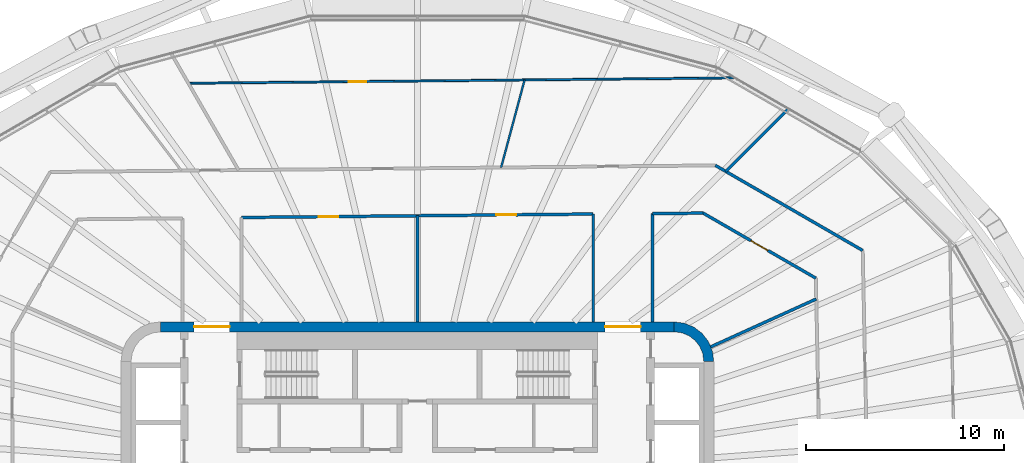
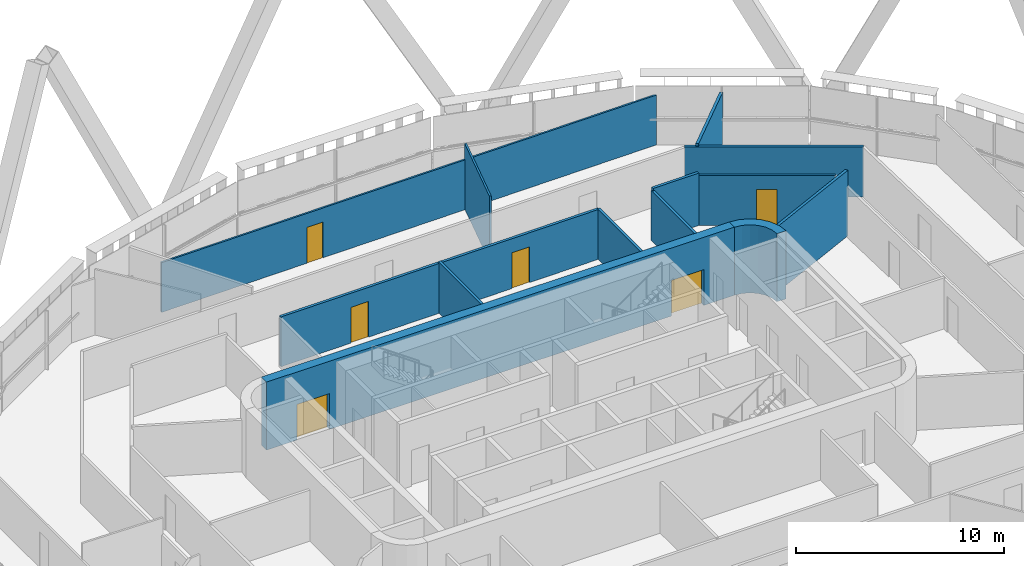
# One storey, part 17 of 25: 13 walls, 6 doors, 6 openings.
"""IFC4 building model written with IfcOpenShell, lengths in metres."""

import ifcopenshell
import ifcopenshell.guid

model = None  # the IFC model being written
_history = None  # IfcOwnerHistory: only IFC2X3 demands one
_inside = {}  # id of a spatial element -> (the spatial element, [elements in it])
_under = {}  # id of a project, library or spatial element -> (it, [spatial elements below it])
_declared = {}  # id of a project -> (the project, [libraries it declares])
_typed = {}  # id of a type object -> (the type object, [elements of that type])
_made_of = {}  # id of a material, layer set ... -> (it, [elements and type objects made of it])


def new_model(schema):
    """Start an empty IFC model of exactly this schema.

    Asked for "IFC4X3", IfcOpenShell would pick the latest addendum, in which some entities
    have other attributes; the version numbers below select the first issue.
    IFC2X3 requires an IfcOwnerHistory on every rooted entity: one is made here for all.
    """
    global model, _history
    if schema == "IFC4X3":
        model = ifcopenshell.file(schema_version=(4, 3, 0, 0))
    else:
        model = ifcopenshell.file(schema=schema)
    _inside.clear()
    _under.clear()
    _declared.clear()
    _typed.clear()
    _made_of.clear()
    _history = None
    if model.schema == "IFC2X3":
        org = make("IfcOrganization", Name="unknown")
        user = make(
            "IfcPersonAndOrganization",
            ThePerson=make("IfcPerson", FamilyName="unknown"),
            TheOrganization=org,
        )
        app = make(
            "IfcApplication",
            ApplicationDeveloper=org,
            Version="unknown",
            ApplicationFullName="unknown",
            ApplicationIdentifier="unknown",
        )
        _history = make(
            "IfcOwnerHistory",
            OwningUser=user,
            OwningApplication=app,
            ChangeAction="ADDED",
            CreationDate=0,
        )
    return model


def make(cls, **values):
    """One entity of the class cls with the attributes given. An attribute that is None is left unset."""
    return model.create_entity(
        cls, **{name: value for name, value in values.items() if value is not None}
    )


def rooted(cls, **values):
    """An entity with a GlobalId (a new one), such as an element, a storey or a relation."""
    return make(cls, GlobalId=ifcopenshell.guid.new(), OwnerHistory=_history, **values)


def si_unit(unit_type, name, prefix=None):
    """IfcSIUnit, for example si_unit("LENGTHUNIT", "METRE", prefix="MILLI")."""
    return make("IfcSIUnit", UnitType=unit_type, Prefix=prefix, Name=name)


def assignment(units):
    """IfcUnitAssignment: the units of a project."""
    return None if units is None else make("IfcUnitAssignment", Units=units)


def point(xyz):
    """IfcCartesianPoint."""
    return None if xyz is None else make("IfcCartesianPoint", Coordinates=xyz)


def direction(xyz):
    """IfcDirection."""
    return None if xyz is None else make("IfcDirection", DirectionRatios=xyz)


def frame(location, z_axis=None, x_axis=None):
    """IfcAxis2Placement3D, a coordinate frame: its origin and axes. An axis left out is left unset."""
    return make(
        "IfcAxis2Placement3D",
        Location=point(location),
        Axis=direction(z_axis),
        RefDirection=direction(x_axis),
    )


def frame_2d(location, x_axis=None):
    """IfcAxis2Placement2D, a coordinate frame in the plane: its origin and x axis."""
    return make(
        "IfcAxis2Placement2D", Location=point(location), RefDirection=direction(x_axis)
    )


def origin():
    """The frame at (0, 0, 0) with its axes left unset."""
    return frame((0.0, 0.0, 0.0))


def place(relative_to, where):
    """IfcLocalPlacement: puts the frame where relative to a parent placement (None: the world)."""
    return make(
        "IfcLocalPlacement", PlacementRelTo=relative_to, RelativePlacement=where
    )


def context(
    kind, dimensions, precision=None, world=None, true_north=None, identifier=None
):
    """IfcGeometricRepresentationContext, for example the 3D "Model" context."""
    return make(
        "IfcGeometricRepresentationContext",
        ContextIdentifier=identifier,
        ContextType=kind,
        CoordinateSpaceDimension=dimensions,
        Precision=precision,
        WorldCoordinateSystem=world,
        TrueNorth=true_north,
    )


def subcontext(parent, identifier, kind, view, scale=None):
    """IfcGeometricRepresentationSubContext, for example "Body" below "Model"."""
    return make(
        "IfcGeometricRepresentationSubContext",
        ContextIdentifier=identifier,
        ContextType=kind,
        ParentContext=parent,
        TargetScale=scale,
        TargetView=view,
    )


def project(units=None, contexts=None):
    """IfcProject with its units and contexts."""
    return rooted(
        "IfcProject",
        Name="project",
        RepresentationContexts=contexts,
        UnitsInContext=assignment(units),
    )


def spatial(cls, under=None, at=None, **own):
    """A site, building, storey or space (cls), placed at a placement, below another one or the project."""
    s = rooted(cls, ObjectPlacement=at, **own)
    if under is not None:
        _under.setdefault(under.id(), (under, []))[1].append(s)
    return s


def polyline(points):
    """IfcPolyline through the points."""
    return make("IfcPolyline", Points=[point(p) for p in points])


def profile(cls, at=None, kind="AREA", **sizes):
    """A parametric profile (cls). Its sizes go by their IFC names, for example OverallWidth=200.0."""
    return make(cls, ProfileType=kind, Position=at, **sizes)


def rectangle(**sizes):
    """IfcRectangleProfileDef."""
    return profile("IfcRectangleProfileDef", **sizes)


def outline(outer, holes=None, kind="AREA"):
    """IfcArbitraryClosedProfileDef: a profile drawn as a closed curve; with holes, ...WithVoids."""
    if holes is None:
        return make("IfcArbitraryClosedProfileDef", ProfileType=kind, OuterCurve=outer)
    return make(
        "IfcArbitraryProfileDefWithVoids",
        ProfileType=kind,
        OuterCurve=outer,
        InnerCurves=holes,
    )


def extrude(swept, where, along, depth):
    """IfcExtrudedAreaSolid: the profile swept, set in the frame where, extruded along a direction by depth."""
    return make(
        "IfcExtrudedAreaSolid",
        SweptArea=swept,
        Position=where,
        ExtrudedDirection=direction(along),
        Depth=depth,
    )


def shape(context_of_items, identifier, shape_type, items):
    """IfcShapeRepresentation: the items that make up one representation, for example the "Body"."""
    return make(
        "IfcShapeRepresentation",
        ContextOfItems=context_of_items,
        RepresentationIdentifier=identifier,
        RepresentationType=shape_type,
        Items=items,
    )


def material(Name=None, Category=None):
    """IfcMaterial."""
    return make("IfcMaterial", Name=Name, Category=Category)


def layer(
    of_material, thickness, ventilated=None, Name=None, Category=None, Priority=None
):
    """IfcMaterialLayer: one layer of a wall or slab, of a material (None: an air gap)."""
    return make(
        "IfcMaterialLayer",
        Material=of_material,
        LayerThickness=thickness,
        IsVentilated=ventilated,
        Name=Name,
        Category=Category,
        Priority=Priority,
    )


def layer_set(layers, Name=None):
    """IfcMaterialLayerSet."""
    return make("IfcMaterialLayerSet", MaterialLayers=layers, LayerSetName=Name)


def made_of(thing, what):
    """Note that an element or type object is made of a material, layer set ...; save() writes the relation."""
    if what is not None:
        _made_of.setdefault(what.id(), (what, []))[1].append(thing)
    return thing


def type_object(cls, material=None, **own):
    """A type object (cls), such as IfcWallType, which elements share."""
    return made_of(rooted(cls, **own), material)


def element(
    cls,
    number,
    at=None,
    inside=None,
    cuts=None,
    type_object=None,
    material=None,
    context=None,
    identifier="Body",
    shape_type=None,
    held_by="IfcProductDefinitionShape",
    body=None,
    shapes=None,
    **own,
):
    """One element of the class cls, such as IfcWall. Its Tag is "e" and its number.

    at: its placement. inside: the storey or other place that contains it. cuts: it is an
    opening in that element (IfcRelVoidsElement). A single representation is given by context,
    identifier, shape_type and body (its items); several are given by shapes. held_by: the class
    of the entity that holds the representations. save() writes the other relations.
    """
    e = rooted(cls, Tag="e%d" % number, ObjectPlacement=at, **own)
    if body is not None:
        shapes = [shape(context, identifier, shape_type, body)]
    if shapes is not None:
        e.Representation = make(held_by, Representations=shapes)
    if inside is not None:
        _inside.setdefault(inside.id(), (inside, []))[1].append(e)
    if cuts is not None:
        rooted(
            "IfcRelVoidsElement", RelatingBuildingElement=cuts, RelatedOpeningElement=e
        )
    if type_object is not None:
        _typed.setdefault(type_object.id(), (type_object, []))[1].append(e)
    return made_of(e, material)


def fill(opening, filler):
    """IfcRelFillsElement: the door or window that sits in an opening."""
    return rooted(
        "IfcRelFillsElement",
        RelatingOpeningElement=opening,
        RelatedBuildingElement=filler,
    )


def aggregate(whole, parts):
    """IfcRelAggregates: a whole, such as a stair, and the parts it consists of."""
    return rooted("IfcRelAggregates", RelatingObject=whole, RelatedObjects=parts)


def save(model, path):
    """Write the relations noted so far, then the file.

    IfcRelAggregates (storeys below a building ...), IfcRelContainedInSpatialStructure (elements
    in a storey), IfcRelDefinesByType, IfcRelAssociatesMaterial and IfcRelDeclares: one each for
    every whole, place, type object, material and project.
    """
    for whole, parts in _under.values():
        aggregate(whole, parts)
    for where, things in _inside.values():
        rooted(
            "IfcRelContainedInSpatialStructure",
            RelatedElements=things,
            RelatingStructure=where,
        )
    for kind, things in _typed.values():
        rooted("IfcRelDefinesByType", RelatedObjects=things, RelatingType=kind)
    for what, things in _made_of.values():
        rooted("IfcRelAssociatesMaterial", RelatedObjects=things, RelatingMaterial=what)
    for by, libraries in _declared.values():
        rooted("IfcRelDeclares", RelatingContext=by, RelatedDefinitions=libraries)
    model.write(path)


model = new_model("IFC4")

# Units and contexts
model_context = context("Model", 3, precision=1e-05, world=origin(), true_north=direction((0.0, 1.0)))
body_context = subcontext(model_context, "Body", "Model", "MODEL_VIEW")
ifc_project = project(units=[si_unit("LENGTHUNIT", "METRE"), si_unit("AREAUNIT", "SQUARE_METRE"), si_unit("VOLUMEUNIT", "CUBIC_METRE"), si_unit("PLANEANGLEUNIT", "RADIAN"), si_unit("MASSUNIT", "GRAM", prefix="KILO")], contexts=[model_context])

# Site, building, storey
site_placement = place(None, origin())
site = spatial("IfcSite", under=ifc_project, at=site_placement, CompositionType="ELEMENT")
building_placement = place(site_placement, origin())
building = spatial("IfcBuilding", under=site, at=building_placement, Name="Sahrelin Media Tower", CompositionType="ELEMENT")
storey_placement = place(building_placement, frame((0.0, 0.0, 165.60009765625)))
storey = spatial("IfcBuildingStorey", under=building, at=storey_placement, Name="L34", CompositionType="ELEMENT", Elevation=165.60009765625)

# Wall, openings, doors
ifc_material_1 = material(Name="Concrete C60/75", Category="concrete")
ifc_layer_1 = layer(ifc_material_1, 0.5)
ifc_layer_set_1 = layer_set([ifc_layer_1], Name="Core wall 500")
wall_type_1 = type_object("IfcWallType", Name="Core wall 500", PredefinedType="SHEAR", material=ifc_layer_set_1)
wall_1_placement = place(storey_placement, frame((-13.0, 7.75, 0.0), z_axis=(0.0, 0.0, 1.0), x_axis=(1.0, 0.0, 0.0)))
wall_1 = element("IfcWall", 1, at=wall_1_placement, inside=storey, type_object=wall_type_1, Name="Core wall N L34", PredefinedType="SHEAR", context=body_context, shape_type="SweptSolid", body=[
    extrude(rectangle(XDim=26.0, YDim=0.5, at=frame_2d((13.0, 0.0))), origin(), (0.0, 0.0, 1.0), 4.0),
])
opening_1_placement = place(wall_1_placement, frame((1.699951171875, 0.0, 0.0)))
opening_1 = element("IfcOpeningElement", 2, at=opening_1_placement, cuts=wall_1, Name="Opening L34-D18", PredefinedType="OPENING", context=body_context, shape_type="SweptSolid", body=[
    extrude(rectangle(XDim=1.800048828125, YDim=2.10009765625, at=frame_2d((0.89990234375, 1.050048828125))), frame((0.0, 0.25, 0.0), z_axis=(0.0, -1.0, 0.0), x_axis=(1.0, 0.0, 0.0)), (0.0, 0.0, 1.0), 0.5),
])
opening_2_placement = place(wall_1_placement, frame((22.5, 0.0, 0.0)))
opening_2 = element("IfcOpeningElement", 3, at=opening_2_placement, cuts=wall_1, Name="Opening L34-D19", PredefinedType="OPENING", context=body_context, shape_type="SweptSolid", body=[
    extrude(rectangle(XDim=1.800048828125, YDim=2.10009765625, at=frame_2d((0.89990234375, 1.050048828125))), frame((0.0, 0.25, 0.0), z_axis=(0.0, -1.0, 0.0), x_axis=(1.0, 0.0, 0.0)), (0.0, 0.0, 1.0), 0.5),
])
ifc_material_2 = material(Name="Steel fire door leaf", Category="steel")
door_type_1 = type_object("IfcDoorType", Name="Lobby double door 1800 x 2100 EI 60", OperationType="DOUBLE_DOOR_SINGLE_SWING", PredefinedType="DOOR", material=ifc_material_2)
door_1_placement = place(opening_1_placement, origin())
door_1 = element("IfcDoor", 4, at=door_1_placement, inside=storey, type_object=door_type_1, Name="Lobby door", OperationType="DOUBLE_DOOR_SINGLE_SWING", OverallHeight=2.10009765625, OverallWidth=1.800048828125, PredefinedType="DOOR", context=body_context, shape_type="SweptSolid", body=[
    extrude(rectangle(XDim=1.800048828125, YDim=2.10009765625, at=frame_2d((0.89990234375, 1.050048828125))), frame((0.0, 0.02490234375, 0.0), z_axis=(0.0, -1.0, 0.0), x_axis=(1.0, 0.0, 0.0)), (0.0, 0.0, 1.0), 0.050048828125),
])
fill(opening_1, door_1)
door_2_placement = place(opening_2_placement, origin())
door_2 = element("IfcDoor", 5, at=door_2_placement, inside=storey, type_object=door_type_1, Name="Lobby door", OperationType="DOUBLE_DOOR_SINGLE_SWING", OverallHeight=2.10009765625, OverallWidth=1.800048828125, PredefinedType="DOOR", context=body_context, shape_type="SweptSolid", body=[
    extrude(rectangle(XDim=1.800048828125, YDim=2.10009765625, at=frame_2d((0.89990234375, 1.050048828125))), frame((0.0, 0.02490234375, 0.0), z_axis=(0.0, -1.0, 0.0), x_axis=(1.0, 0.0, 0.0)), (0.0, 0.0, 1.0), 0.050048828125),
])
fill(opening_2, door_2)

# Wall
wall_2_placement = place(storey_placement, origin())
element("IfcWall", 6, at=wall_2_placement, inside=storey, type_object=wall_type_1, Name="Core wall corner NE L34", PredefinedType="SHEAR", context=body_context, shape_type="SweptSolid", body=[
    extrude(outline(polyline([(13.0, 8.0), (13.0, 7.49560546875), (13.38720703125, 7.44482421875), (13.747802734375, 7.29541015625), (14.0576171875, 7.0576171875), (14.29541015625, 6.747802734375), (14.44482421875, 6.38720703125), (14.49560546875, 6.0), (15.0, 6.0), (14.931884765625, 6.517578125), (14.732177734375, 7.0), (14.414306640625, 7.414306640625), (14.0, 7.732177734375), (13.517578125, 7.931884765625), (13.0, 8.0)])), origin(), (0.0, 0.0, 1.0), 4.0),
])

# Wall, opening, door
ifc_material_3 = material(Name="Fire-rated gypsum board partition")
ifc_layer_2 = layer(ifc_material_3, 0.14990234375)
ifc_layer_set_2 = layer_set([ifc_layer_2], Name="Fire-rated partition 150")
wall_type_2 = type_object("IfcWallType", Name="Fire-rated partition 150", PredefinedType="PARTITIONING", material=ifc_layer_set_2)
wall_3_placement = place(storey_placement, frame((14.447998046875, 13.514892578125, 0.0), z_axis=(0.0, 0.0, 1.0), x_axis=(0.865975016585, -0.500087263036, 0.0)))
wall_3 = element("IfcWall", 7, at=wall_3_placement, inside=storey, type_object=wall_type_2, Name="Wall", PredefinedType="PARTITIONING", context=body_context, shape_type="SweptSolid", body=[
    extrude(rectangle(XDim=6.603759765625, YDim=0.14990234375, at=frame_2d((3.3017578125, 0.0))), origin(), (0.0, 0.0, 1.0), 2.927001953125),
])
opening_3_placement = place(wall_3_placement, frame((2.8037109375, 0.0, 0.0)))
opening_3 = element("IfcOpeningElement", 8, at=opening_3_placement, cuts=wall_3, Name="Opening L34-D27", PredefinedType="OPENING", context=body_context, shape_type="SweptSolid", body=[
    extrude(rectangle(XDim=1.0, YDim=2.10009765625, at=frame_2d((0.5, 1.050048828125))), frame((0.0, 0.074951171875, 0.0), z_axis=(0.0, -1.0, 0.0), x_axis=(1.0, 0.0, 0.0)), (0.0, 0.0, 1.0), 0.14990234375),
])
door_type_2 = type_object("IfcDoorType", Name="Fire door 1000 x 2100 EI 60", OperationType="NOTDEFINED", PredefinedType="DOOR", material=ifc_material_2)
door_3_placement = place(opening_3_placement, origin())
door_3 = element("IfcDoor", 9, at=door_3_placement, inside=storey, type_object=door_type_2, Name="Fire door", OperationType="SINGLE_SWING_RIGHT", OverallHeight=2.10009765625, OverallWidth=1.0, PredefinedType="DOOR", context=body_context, shape_type="SweptSolid", body=[
    extrude(rectangle(XDim=1.0, YDim=2.10009765625, at=frame_2d((0.5, 1.050048828125))), frame((0.0, 0.02490234375, 0.0), z_axis=(0.0, -1.0, 0.0), x_axis=(1.0, 0.0, 0.0)), (0.0, 0.0, 1.0), 0.050048828125),
])
fill(opening_3, door_3)

# Wall
wall_4_placement = place(storey_placement, frame((15.080078125, 15.9208984375, 0.0), z_axis=(0.0, 0.0, 1.0), x_axis=(0.865982112089, -0.50007497592, 0.0)))
element("IfcWall", 10, at=wall_4_placement, inside=storey, type_object=wall_type_2, Name="Wall", PredefinedType="PARTITIONING", context=body_context, shape_type="SweptSolid", body=[
    extrude(rectangle(XDim=8.612548828125, YDim=0.14990234375, at=frame_2d((4.30615234375, 0.0))), origin(), (0.0, 0.0, 1.0), 2.927001953125),
])

# Wall, openings, doors
wall_5_placement = place(storey_placement, frame((-8.89990234375, 13.282958984375, 0.0), z_axis=(0.0, 0.0, 1.0), x_axis=(0.999950969978, 0.009902405776, 0.0)))
wall_5 = element("IfcWall", 11, at=wall_5_placement, inside=storey, type_object=wall_type_2, Name="Wall", PredefinedType="PARTITIONING", context=body_context, shape_type="SweptSolid", body=[
    extrude(rectangle(XDim=17.80078125, YDim=0.14990234375, at=frame_2d((8.900390625, 0.0))), origin(), (0.0, 0.0, 1.0), 2.927001953125),
])
opening_4_placement = place(wall_5_placement, frame((12.900390625, 0.0, 0.0)))
opening_4 = element("IfcOpeningElement", 12, at=opening_4_placement, cuts=wall_5, Name="Opening L34-D28", PredefinedType="OPENING", context=body_context, shape_type="SweptSolid", body=[
    extrude(rectangle(XDim=1.0, YDim=2.10009765625, at=frame_2d((0.5, 1.050048828125))), frame((0.0, 0.074951171875, 0.0), z_axis=(0.0, -1.0, 0.0), x_axis=(1.0, 0.0, 0.0)), (0.0, 0.0, 1.0), 0.14990234375),
])
opening_5_placement = place(wall_5_placement, frame((3.901611328125, 0.0, 0.0)))
opening_5 = element("IfcOpeningElement", 13, at=opening_5_placement, cuts=wall_5, Name="Opening L34-D29", PredefinedType="OPENING", context=body_context, shape_type="SweptSolid", body=[
    extrude(rectangle(XDim=1.0, YDim=2.10009765625, at=frame_2d((0.5, 1.050048828125))), frame((0.0, 0.074951171875, 0.0), z_axis=(0.0, -1.0, 0.0), x_axis=(1.0, 0.0, 0.0)), (0.0, 0.0, 1.0), 0.14990234375),
])
door_4_placement = place(opening_4_placement, origin())
door_4 = element("IfcDoor", 14, at=door_4_placement, inside=storey, type_object=door_type_2, Name="Fire door", OperationType="SINGLE_SWING_LEFT", OverallHeight=2.10009765625, OverallWidth=1.0, PredefinedType="DOOR", context=body_context, shape_type="SweptSolid", body=[
    extrude(rectangle(XDim=1.0, YDim=2.10009765625, at=frame_2d((0.5, 1.050048828125))), frame((0.0, 0.02490234375, 0.0), z_axis=(0.0, -1.0, 0.0), x_axis=(1.0, 0.0, 0.0)), (0.0, 0.0, 1.0), 0.050048828125),
])
fill(opening_4, door_4)
door_5_placement = place(opening_5_placement, origin())
door_5 = element("IfcDoor", 15, at=door_5_placement, inside=storey, type_object=door_type_2, Name="Fire door", OperationType="SINGLE_SWING_LEFT", OverallHeight=2.10009765625, OverallWidth=1.0, PredefinedType="DOOR", context=body_context, shape_type="SweptSolid", body=[
    extrude(rectangle(XDim=1.0, YDim=2.10009765625, at=frame_2d((0.5, 1.050048828125))), frame((0.0, 0.02490234375, 0.0), z_axis=(0.0, -1.0, 0.0), x_axis=(1.0, 0.0, 0.0)), (0.0, 0.0, 1.0), 0.050048828125),
])
fill(opening_5, door_5)

# Walls
wall_6_placement = place(storey_placement, frame((11.89990234375, 13.47998046875, 0.0), z_axis=(0.0, 0.0, 1.0), x_axis=(0.999951307579, 0.009868255694, 0.0)))
element("IfcWall", 16, at=wall_6_placement, inside=storey, type_object=wall_type_2, Name="Wall", PredefinedType="PARTITIONING", context=body_context, shape_type="SweptSolid", body=[
    extrude(rectangle(XDim=2.54833984375, YDim=0.14990234375, at=frame_2d((1.274169921875, 0.0))), origin(), (0.0, 0.0, 1.0), 3.075927734375),
])
wall_7_placement = place(storey_placement, frame((14.843017578125, 6.73291015625, 0.0), z_axis=(0.0, 0.0, 1.0), x_axis=(0.910628361306, 0.413226315214, 0.0)))
element("IfcWall", 17, at=wall_7_placement, inside=storey, type_object=wall_type_2, Name="Wall", PredefinedType="PARTITIONING", context=body_context, shape_type="SweptSolid", body=[
    extrude(rectangle(XDim=5.870361328125, YDim=0.14990234375, at=frame_2d((2.93505859375, 0.0))), origin(), (0.0, 0.0, 1.0), 3.849853515625),
])
wall_8_placement = place(storey_placement, frame((15.613037109375, 15.613037109375, 0.0), z_axis=(0.0, 0.0, 1.0), x_axis=(0.707106781187, 0.707106781187, 0.0)))
element("IfcWall", 18, at=wall_8_placement, inside=storey, type_object=wall_type_2, Name="Wall", PredefinedType="PARTITIONING", context=body_context, shape_type="SweptSolid", body=[
    extrude(rectangle(XDim=4.480224609375, YDim=0.14990234375, at=frame_2d((2.240234375, 0.0))), origin(), (0.0, 0.0, 1.0), 3.075927734375),
])
wall_9_placement = place(storey_placement, frame((11.89990234375, 8.0, 0.0), z_axis=(0.0, 0.0, 1.0), x_axis=(0.0, 1.0, 0.0)))
element("IfcWall", 19, at=wall_9_placement, inside=storey, type_object=wall_type_2, Name="Wall", PredefinedType="PARTITIONING", context=body_context, shape_type="SweptSolid", body=[
    extrude(rectangle(XDim=5.47900390625, YDim=0.14990234375, at=frame_2d((2.739501953125, 0.0))), origin(), (0.0, 0.0, 1.0), 2.927001953125),
])
wall_10_placement = place(storey_placement, frame((8.89990234375, 8.0, 0.0), z_axis=(0.0, 0.0, 1.0), x_axis=(0.0, 1.0, 0.0)))
element("IfcWall", 20, at=wall_10_placement, inside=storey, type_object=wall_type_2, Name="Wall", PredefinedType="PARTITIONING", context=body_context, shape_type="SweptSolid", body=[
    extrude(rectangle(XDim=5.4599609375, YDim=0.14990234375, at=frame_2d((2.72998046875, 0.0))), origin(), (0.0, 0.0, 1.0), 2.927001953125),
])
wall_11_placement = place(storey_placement, frame((0.0, 8.0, 0.0), z_axis=(0.0, 0.0, 1.0), x_axis=(0.0, 1.0, 0.0)))
element("IfcWall", 21, at=wall_11_placement, inside=storey, type_object=wall_type_2, Name="Wall", PredefinedType="PARTITIONING", context=body_context, shape_type="SweptSolid", body=[
    extrude(rectangle(XDim=5.3720703125, YDim=0.14990234375, at=frame_2d((2.68603515625, 0.0))), origin(), (0.0, 0.0, 1.0), 2.994873046875),
])

# Wall, opening, door
ifc_material_4 = material(Name="Gypsum board partition")
ifc_layer_3 = layer(ifc_material_4, 0.10009765625)
ifc_layer_set_3 = layer_set([ifc_layer_3], Name="Partition 100")
wall_type_3 = type_object("IfcWallType", Name="Partition 100", PredefinedType="PARTITIONING", material=ifc_layer_set_3)
wall_12_placement = place(storey_placement, frame((-11.591064453125, 20.076904296875, 0.0), z_axis=(0.0, 0.0, 1.0), x_axis=(0.999951286901, 0.009870350766, 0.0)))
wall_12 = element("IfcWall", 22, at=wall_12_placement, inside=storey, type_object=wall_type_3, Name="Wall", PredefinedType="PARTITIONING", context=body_context, shape_type="SweptSolid", body=[
    extrude(rectangle(XDim=27.653564453125, YDim=0.10009765625, at=frame_2d((13.82666015625, 0.0))), origin(), (0.0, 0.0, 1.0), 2.927001953125),
])
opening_6_placement = place(wall_12_placement, frame((8.10986328125, 0.0, 0.0)))
opening_6 = element("IfcOpeningElement", 23, at=opening_6_placement, cuts=wall_12, Name="Opening L34-D52", PredefinedType="OPENING", context=body_context, shape_type="SweptSolid", body=[
    extrude(rectangle(XDim=0.89990234375, YDim=2.10009765625, at=frame_2d((0.449951171875, 1.050048828125))), frame((0.0, 0.050048828125, 0.0), z_axis=(0.0, -1.0, 0.0), x_axis=(1.0, 0.0, 0.0)), (0.0, 0.0, 1.0), 0.10009765625),
])
ifc_material_5 = material(Name="Timber door leaf", Category="wood")
door_type_3 = type_object("IfcDoorType", Name="Single door 900 x 2100", OperationType="NOTDEFINED", PredefinedType="DOOR", material=ifc_material_5)
door_6_placement = place(opening_6_placement, origin())
door_6 = element("IfcDoor", 24, at=door_6_placement, inside=storey, type_object=door_type_3, Name="Single door", OperationType="SINGLE_SWING_LEFT", OverallHeight=2.10009765625, OverallWidth=0.89990234375, PredefinedType="DOOR", context=body_context, shape_type="SweptSolid", body=[
    extrude(rectangle(XDim=0.89990234375, YDim=2.10009765625, at=frame_2d((0.449951171875, 1.050048828125))), frame((0.0, 0.02490234375, 0.0), z_axis=(0.0, -1.0, 0.0), x_axis=(1.0, 0.0, 0.0)), (0.0, 0.0, 1.0), 0.050048828125),
])
fill(opening_6, door_6)

# Wall
wall_13_placement = place(storey_placement, frame((4.237060546875, 15.81396484375, 0.0), z_axis=(0.0, 0.0, 1.0), x_axis=(0.258900971347, 0.965903870494, 0.0)))
element("IfcWall", 25, at=wall_13_placement, inside=storey, type_object=wall_type_3, Name="Wall", PredefinedType="PARTITIONING", context=body_context, shape_type="SweptSolid", body=[
    extrude(rectangle(XDim=4.588623046875, YDim=0.10009765625, at=frame_2d((2.29443359375, 0.0))), origin(), (0.0, 0.0, 1.0), 3.849853515625),
])

save(model, "model.ifc")
